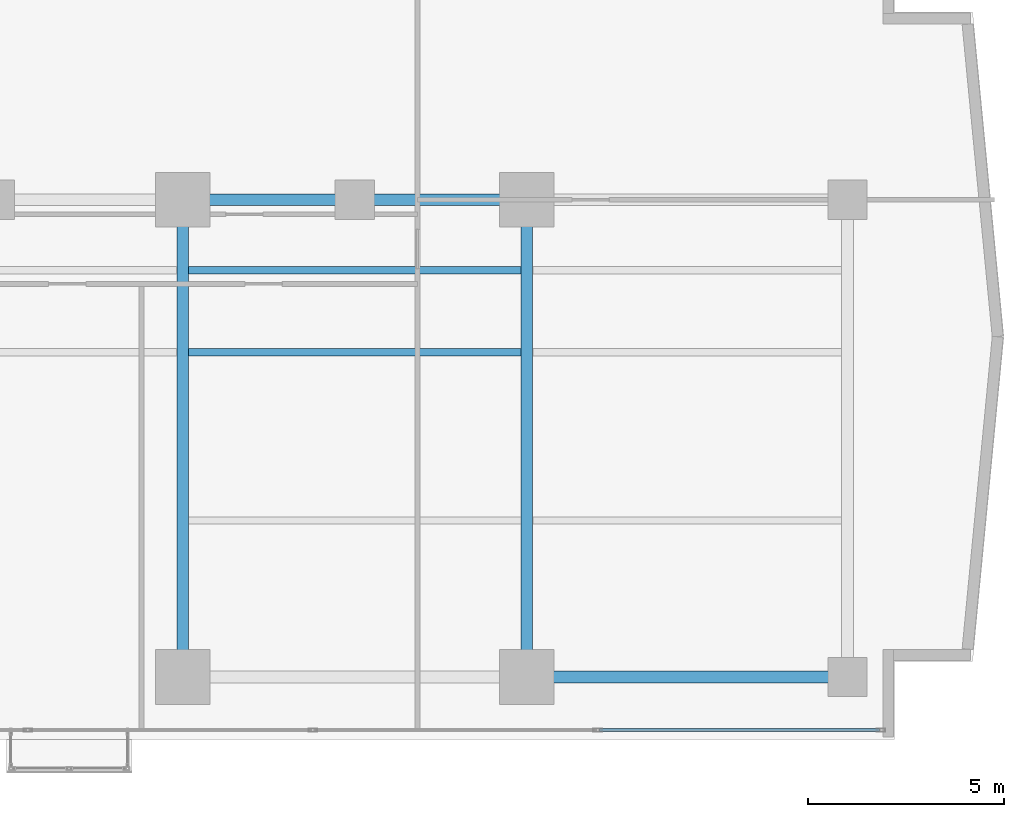
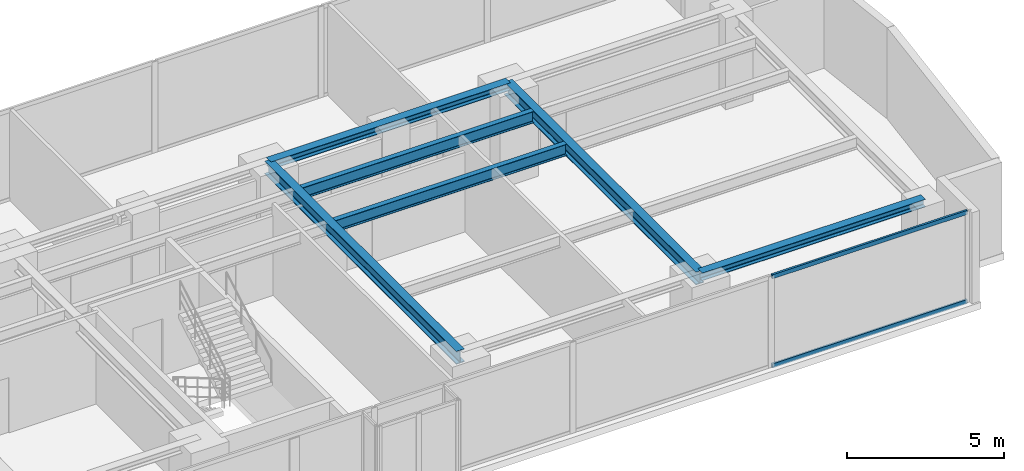
# One storey, part 13 of 29: 6 beams, 2 members, 1 element without a shape of its own.
"""IFC4 building model written with IfcOpenShell, lengths in metres."""

from ifc_helpers import new_model, si_unit, direction, frame, origin, origin_with_axes, origin_2d, place, context, subcontext, project, spatial, hollow_rectangle, i_section, extrude, source, transform, mapped, material, layer, layer_set, material_profile, profile_set, type_object, element, aggregate, save


model = new_model("IFC4")

# Units and contexts
model_context = context("Model", 3, precision=1e-05, world=origin(), true_north=direction((0.0, 1.0)))
body_context = subcontext(model_context, "Body", "Model", "MODEL_VIEW")
ifc_project = project(units=[si_unit("LENGTHUNIT", "METRE"), si_unit("AREAUNIT", "SQUARE_METRE"), si_unit("VOLUMEUNIT", "CUBIC_METRE"), si_unit("PLANEANGLEUNIT", "RADIAN"), si_unit("MASSUNIT", "GRAM", prefix="KILO")], contexts=[model_context])

# Site, building, storey
site_placement = place(None, origin())
site = spatial("IfcSite", under=ifc_project, at=site_placement, CompositionType="ELEMENT")
building_placement = place(site_placement, origin())
building = spatial("IfcBuilding", under=site, at=building_placement, Name="Kolvaren Waterfront Exchange", CompositionType="ELEMENT")
storey_placement = place(building_placement, frame((0.0, 0.0, 129.699951171875)))
storey = spatial("IfcBuildingStorey", under=building, at=storey_placement, Name="L33", CompositionType="ELEMENT", Elevation=129.699951171875)

# Beams
ifc_material_1 = material(Name="Steel S355", Category="steel")
ifc_material_profile_1 = material_profile(ifc_material_1, i_section(OverallWidth=0.300048828125, OverallDepth=0.300048828125, WebThickness=0.010986328125, FlangeThickness=0.01904296875, FilletRadius=0.027099609375, at=origin_2d()), Name="HEB300")
ifc_profile_set_1 = profile_set([ifc_material_profile_1], Name="Steel S355")
beam_type_1 = type_object("IfcBeamType", Name="STR-BM-HEB300", PredefinedType="SPANDREL", material=ifc_profile_set_1)
beam_1_placement = place(storey_placement, frame((45.60009765625, 5.199951171875, 3.39013671875), z_axis=(1.0, 0.0, 0.0), x_axis=(0.0, 1.0, 0.0)))
element("IfcBeam", 1, at=beam_1_placement, inside=storey, type_object=beam_type_1, Name="L33 east-arm spandrel S4", PredefinedType="SPANDREL", context=body_context, shape_type="SweptSolid", body=[
    extrude(i_section(OverallWidth=0.300048828125, OverallDepth=0.300048828125, WebThickness=0.010986328125, FlangeThickness=0.01904296875, FilletRadius=0.027099609375, at=origin_2d()), origin(), (0.0, 0.0, 1.0), 8.199951171875),
])
beam_2_placement = place(storey_placement, frame((36.800048828125, 17.39990234375, 3.39013671875), z_axis=(1.0, 0.0, 0.0), x_axis=(0.0, 1.0, 0.0)))
element("IfcBeam", 2, at=beam_2_placement, inside=storey, type_object=beam_type_1, Name="L33 east-arm spandrel N3", PredefinedType="SPANDREL", context=body_context, shape_type="SweptSolid", body=[
    extrude(i_section(OverallWidth=0.300048828125, OverallDepth=0.300048828125, WebThickness=0.010986328125, FlangeThickness=0.01904296875, FilletRadius=0.027099609375, at=origin_2d()), origin(), (0.0, 0.0, 1.0), 8.800048828125),
])
ifc_material_profile_2 = material_profile(ifc_material_1, i_section(OverallWidth=0.300048828125, OverallDepth=0.5, WebThickness=0.014404296875, FlangeThickness=0.028076171875, FilletRadius=0.027099609375, at=origin_2d()), Name="HEB500")
ifc_profile_set_2 = profile_set([ifc_material_profile_2], Name="Steel S355")
beam_type_2 = type_object("IfcBeamType", Name="STR-BM-HEB500", PredefinedType="BEAM", material=ifc_profile_set_2)
for number, where, z_axis, x_axis, name in (
    (3, (36.800048828125, 5.199951171875, 3.2900390625), (0.0, 1.0, 0.0), (-1.0, 0.0, 0.0), "L33 east-arm transverse girder X36"),
    (4, (45.60009765625, 5.199951171875, 3.2900390625), (0.0, 1.0, 0.0), (-1.0, 0.0, 0.0), "L33 east-arm transverse girder X45"),
):
    element("IfcBeam", number, at=place(storey_placement, frame(where, z_axis=z_axis, x_axis=x_axis)), inside=storey, type_object=beam_type_2, Name=name, PredefinedType="BEAM", context=body_context, shape_type="SweptSolid", body=[
        extrude(i_section(OverallWidth=0.300048828125, OverallDepth=0.5, WebThickness=0.014404296875, FlangeThickness=0.028076171875, FilletRadius=0.027099609375, at=origin_2d()), origin(), (0.0, 0.0, 1.0), 12.199951171875),
    ])
ifc_material_profile_3 = material_profile(ifc_material_1, i_section(OverallWidth=0.18994140625, OverallDepth=0.449951171875, WebThickness=0.009521484375, FlangeThickness=0.0146484375, FilletRadius=0.02099609375, at=origin_2d()), Name="IPE450")
ifc_profile_set_3 = profile_set([ifc_material_profile_3], Name="Steel S355")
beam_type_3 = type_object("IfcBeamType", Name="STR-BM-IPE450", PredefinedType="JOIST", material=ifc_profile_set_3)
for number, where, z_axis, x_axis, name in (
    (5, (36.951904296875, 13.5, 3.31494140625), (1.0, 0.0, 0.0), (0.0, 1.0, 0.0), "L33 east-arm composite joist 3A"),
    (6, (36.951904296875, 15.60009765625, 3.31494140625), (1.0, 0.0, 0.0), (0.0, 1.0, 0.0), "L33 east-arm composite joist 3C"),
):
    element("IfcBeam", number, at=place(storey_placement, frame(where, z_axis=z_axis, x_axis=x_axis)), inside=storey, type_object=beam_type_3, Name=name, PredefinedType="JOIST", context=body_context, shape_type="SweptSolid", body=[
        extrude(i_section(OverallWidth=0.18994140625, OverallDepth=0.449951171875, WebThickness=0.009521484375, FlangeThickness=0.0146484375, FilletRadius=0.02099609375, at=origin_2d()), origin(), (0.0, 0.0, 1.0), 8.49609375),
    ])

# Curtain wall, members
ifc_material_2 = material(Name="Anodised bronze aluminium 6063-T6", Category="aluminium")
ifc_layer = layer(ifc_material_2, 0.219970703125, Name="Anodised bronze aluminium 6063-T6")
ifc_layer_set = layer_set([ifc_layer], Name="Anodised bronze aluminium 6063-T6")
curtain_wall_type = type_object("IfcCurtainWallType", Name="ARC-CW-SYS1", PredefinedType="USERDEFINED", material=ifc_layer_set)
curtain_wall_placement = place(storey_placement, origin())
curtain_wall = element("IfcCurtainWall", 7, at=curtain_wall_placement, inside=storey, type_object=curtain_wall_type, Name="L33 stick curtain wall CW1 (CW-L33-S)", ObjectType="STICK CURTAIN WALL", PredefinedType="USERDEFINED")
ifc_material_3 = material(Name="Anodised aluminium 6063-T6", Category="aluminium")
ifc_material_profile_4 = material_profile(ifc_material_3, hollow_rectangle(XDim=0.074951171875, YDim=0.159912109375, WallThickness=0.00439453125, at=origin_2d()), Name="ALU-TRN-160x75x4.5")
ifc_profile_set_4 = profile_set([ifc_material_profile_4], Name="Anodised aluminium 6063-T6")
member_type = type_object("IfcMemberType", Name="ARC-CWT-160", PredefinedType="USERDEFINED", material=ifc_profile_set_4)
shared_shape = source(origin_with_axes(), body_context, "Body", "SweptSolid", [
    extrude(hollow_rectangle(XDim=0.074951171875, YDim=0.159912109375, WallThickness=0.00439453125, at=origin_2d()), origin(), (0.0, 0.0, 1.0), 7.165771484375),
])
member_1_placement = place(storey_placement, frame((47.454345703125, 3.840087890625, 0.03759765625), z_axis=(1.0, 0.0, 0.0), x_axis=(0.0, 1.0, 0.0)))
member_1 = element("IfcMember", 8, at=member_1_placement, type_object=member_type, Name="CW1 transom 7.1", ObjectType="TRANSOM", PredefinedType="USERDEFINED", context=body_context, shape_type="MappedRepresentation", body=[
    mapped(shared_shape, transform((0.0, 0.0, 0.0), x_axis=(1.0, 0.0, 0.0), y_axis=(0.0, 1.0, 0.0), z_axis=(0.0, 0.0, 1.0), scale=1.0)),
])
member_2_placement = place(storey_placement, frame((47.454345703125, 3.840087890625, 3.50244140625), z_axis=(1.0, 0.0, 0.0), x_axis=(0.0, 1.0, 0.0)))
member_2 = element("IfcMember", 9, at=member_2_placement, type_object=member_type, Name="CW1 transom 7.2", ObjectType="TRANSOM", PredefinedType="USERDEFINED", context=body_context, shape_type="MappedRepresentation", body=[
    mapped(shared_shape, transform((0.0, 0.0, 0.0), x_axis=(1.0, 0.0, 0.0), y_axis=(0.0, 1.0, 0.0), z_axis=(0.0, 0.0, 1.0), scale=1.0)),
])
aggregate(curtain_wall, [member_1, member_2])

save(model, "model.ifc")
